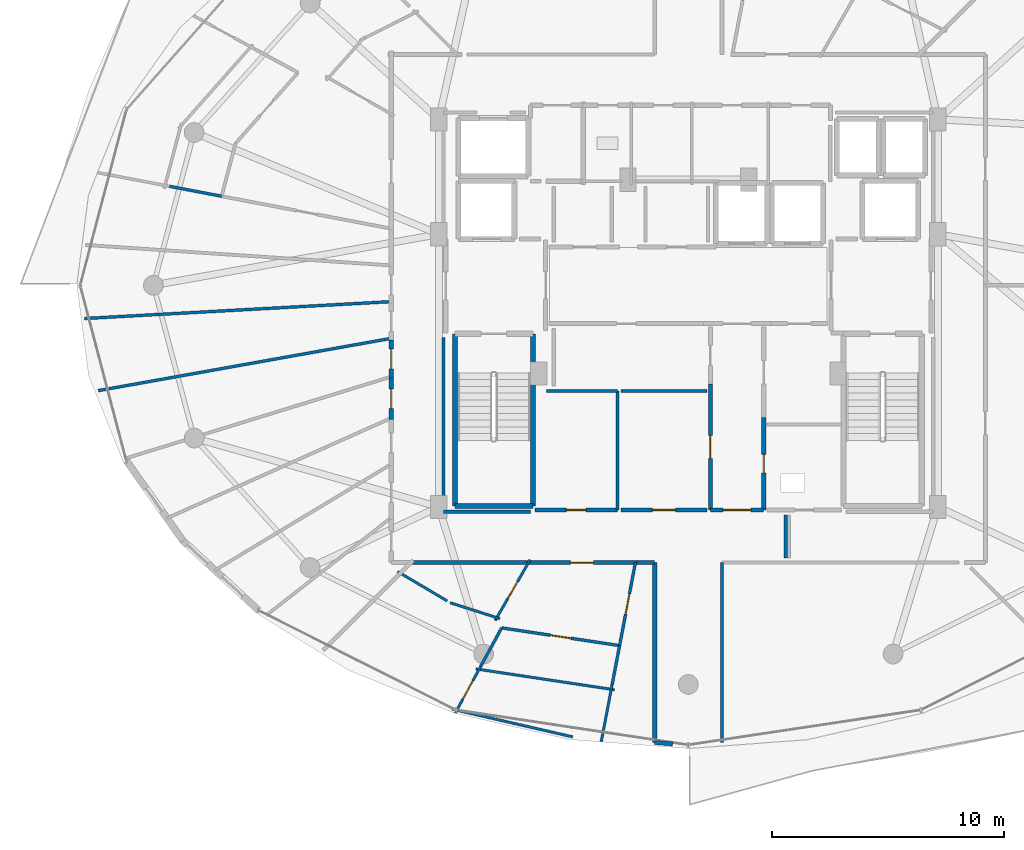
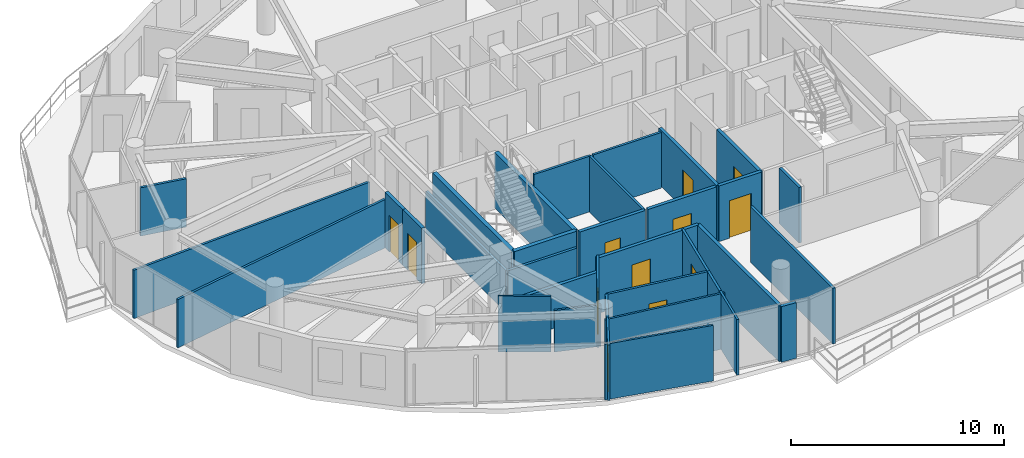
# One storey, part 17 of 25: 36 walls, 12 doors, 12 openings.
"""IFC4 building model written with IfcOpenShell, lengths in metres."""

from ifc_helpers import new_model, si_unit, direction, frame, frame_2d, origin, place, context, subcontext, project, spatial, rectangle, extrude, material, layer, layer_set, type_object, element, fill, save


model = new_model("IFC4")

# Units and contexts
model_context = context("Model", 3, precision=1e-05, world=origin(), true_north=direction((0.0, 1.0)))
body_context = subcontext(model_context, "Body", "Model", "MODEL_VIEW")
ifc_project = project(units=[si_unit("LENGTHUNIT", "METRE"), si_unit("AREAUNIT", "SQUARE_METRE"), si_unit("VOLUMEUNIT", "CUBIC_METRE"), si_unit("PLANEANGLEUNIT", "RADIAN"), si_unit("MASSUNIT", "GRAM", prefix="KILO")], contexts=[model_context])

# Site, building, storey
site_placement = place(None, origin())
site = spatial("IfcSite", under=ifc_project, at=site_placement, CompositionType="ELEMENT")
building_placement = place(site_placement, origin())
building = spatial("IfcBuilding", under=site, at=building_placement, Name="Vorneva Point Tower", CompositionType="ELEMENT")
storey_placement = place(building_placement, frame((0.0, 0.0, 276.85009765625)))
storey = spatial("IfcBuildingStorey", under=building, at=storey_placement, Name="L75", CompositionType="ELEMENT", Elevation=276.85009765625)

# Wall, opening, door
ifc_material_1 = material(Name="Fire-rated acoustic gypsum stud partition", Category="gypsum")
ifc_layer_1 = layer(ifc_material_1, 0.110107421875)
ifc_layer_set_1 = layer_set([ifc_layer_1], Name="Fire-rated acoustic gypsum stud partition")
wall_type_1 = type_object("IfcWallType", Name="WL-PART-110", PredefinedType="PARTITIONING", material=ifc_layer_set_1)
wall_1_placement = place(storey_placement, frame((31.183837890625, 14.17138671875, 0.0), z_axis=(0.0, 0.0, 1.0), x_axis=(-0.499203880251, -0.86648455609, 0.0)))
wall_1 = element("IfcWall", 1, at=wall_1_placement, inside=storey, type_object=wall_type_1, Name="L75 Interior Partition 097", PredefinedType="PARTITIONING", context=body_context, shape_type="SweptSolid", body=[
    extrude(rectangle(XDim=3.0166015625, YDim=0.110107421875, at=frame_2d((1.50830078125, 0.0))), origin(), (0.0, 0.0, 1.0), 3.18994140625),
])
opening_1_placement = place(wall_1_placement, frame((1.083251953125, 0.0, 0.0)))
opening_1 = element("IfcOpeningElement", 2, at=opening_1_placement, cuts=wall_1, Name="Opening ID-02", PredefinedType="OPENING", context=body_context, shape_type="SweptSolid", body=[
    extrude(rectangle(XDim=0.85009765625, YDim=2.10009765625, at=frame_2d((0.425048828125, 1.050048828125))), frame((0.0, 0.06982421875, 0.0), z_axis=(0.0, -1.0, 0.0), x_axis=(1.0, 0.0, 0.0)), (0.0, 0.0, 1.0), 0.139892578125),
])
ifc_material_2 = material(Name="Engineered oak fire-rated door leaf", Category="wood")
door_type_1 = type_object("IfcDoorType", Name="DR-BATH-850", OperationType="NOTDEFINED", PredefinedType="DOOR", material=ifc_material_2)
door_1_placement = place(opening_1_placement, origin())
door_1 = element("IfcDoor", 3, at=door_1_placement, inside=storey, type_object=door_type_1, Name="L75 Door Living and Dining Room L75-03 / Bathroom L75-03", OperationType="SINGLE_SWING_RIGHT", OverallHeight=2.10009765625, OverallWidth=0.85009765625, PredefinedType="DOOR", context=body_context, shape_type="SweptSolid", body=[
    extrude(rectangle(XDim=0.85009765625, YDim=2.10009765625, at=frame_2d((0.425048828125, 1.050048828125))), frame((0.0, 0.02490234375, 0.0), z_axis=(0.0, -1.0, 0.0), x_axis=(1.0, 0.0, 0.0)), (0.0, 0.0, 1.0), 0.050048828125),
])
fill(opening_1, door_1)

# Walls
wall_2_placement = place(storey_placement, frame((29.88134765625, 11.636474609375, 0.0), z_axis=(0.0, 0.0, 1.0), x_axis=(-0.952713330874, 0.30387054674, 0.0)))
element("IfcWall", 4, at=wall_2_placement, inside=storey, type_object=wall_type_1, Name="L75 Interior Partition 098", PredefinedType="PARTITIONING", context=body_context, shape_type="SweptSolid", body=[
    extrude(rectangle(XDim=2.251220703125, YDim=0.110107421875, at=frame_2d((1.12548828125, 0.0))), origin(), (0.0, 0.0, 1.0), 2.3818359375),
])
wall_3_placement = place(storey_placement, frame((27.610595703125, 12.398681640625, 0.0), z_axis=(0.0, 0.0, 1.0), x_axis=(-0.860546797705, 0.509371386082, 0.0)))
element("IfcWall", 5, at=wall_3_placement, inside=storey, type_object=wall_type_1, Name="L75 Interior Partition 099", PredefinedType="PARTITIONING", context=body_context, shape_type="SweptSolid", body=[
    extrude(rectangle(XDim=2.484619140625, YDim=0.110107421875, at=frame_2d((1.2421875, 0.0))), origin(), (0.0, 0.0, 1.0), 3.18994140625),
])
wall_4_placement = place(storey_placement, frame((34.71630859375, 8.78857421875, 0.0), z_axis=(0.0, 0.0, 1.0), x_axis=(-0.187233159216, -0.982315501298, 0.0)))
element("IfcWall", 6, at=wall_4_placement, inside=storey, type_object=wall_type_1, Name="L75 Interior Partition 100", PredefinedType="PARTITIONING", context=body_context, shape_type="SweptSolid", body=[
    extrude(rectangle(XDim=2.502197265625, YDim=0.110107421875, at=frame_2d((1.2509765625, 0.0))), origin(), (0.0, 0.0, 1.0), 3.18994140625),
])
wall_5_placement = place(storey_placement, frame((27.82861328125, 7.7333984375, 0.0), z_axis=(0.0, 0.0, 1.0), x_axis=(0.974586324437, -0.224012268015, 0.0)))
element("IfcWall", 7, at=wall_5_placement, inside=storey, type_object=wall_type_1, Name="L75 Interior Partition 101", PredefinedType="PARTITIONING", context=body_context, shape_type="SweptSolid", body=[
    extrude(rectangle(XDim=5.324951171875, YDim=0.110107421875, at=frame_2d((2.66259765625, 0.0))), origin(), (0.0, 0.0, 1.0), 3.18994140625),
])

# Wall, opening, door
wall_6_placement = place(storey_placement, frame((27.9560546875, 7.566162109375, 0.0), z_axis=(0.0, 0.0, 1.0), x_axis=(0.478485169604, 0.878095634011, 0.0)))
wall_6 = element("IfcWall", 8, at=wall_6_placement, inside=storey, type_object=wall_type_1, Name="L75 Interior Partition 102", PredefinedType="PARTITIONING", context=body_context, shape_type="SweptSolid", body=[
    extrude(rectangle(XDim=2.284423828125, YDim=0.110107421875, at=frame_2d((1.14208984375, 0.0))), origin(), (0.0, 0.0, 1.0), 3.18994140625),
])
opening_2_placement = place(wall_6_placement, frame((0.692138671875, 0.0, 0.0)))
opening_2 = element("IfcOpeningElement", 9, at=opening_2_placement, cuts=wall_6, Name="Opening ID-01", PredefinedType="OPENING", context=body_context, shape_type="SweptSolid", body=[
    extrude(rectangle(XDim=0.89990234375, YDim=2.10009765625, at=frame_2d((0.449951171875, 1.050048828125))), frame((0.0, 0.06982421875, 0.0), z_axis=(0.0, -1.0, 0.0), x_axis=(1.0, 0.0, 0.0)), (0.0, 0.0, 1.0), 0.139892578125),
])
door_type_2 = type_object("IfcDoorType", Name="DR-ROOM-900", OperationType="NOTDEFINED", PredefinedType="DOOR", material=ifc_material_2)
door_2_placement = place(opening_2_placement, origin())
door_2 = element("IfcDoor", 10, at=door_2_placement, inside=storey, type_object=door_type_2, Name="L75 Door Living and Dining Room L75-03 / Kitchen L75-03", OperationType="SINGLE_SWING_LEFT", OverallHeight=2.10009765625, OverallWidth=0.89990234375, PredefinedType="DOOR", context=body_context, shape_type="SweptSolid", body=[
    extrude(rectangle(XDim=0.89990234375, YDim=2.10009765625, at=frame_2d((0.449951171875, 1.050048828125))), frame((0.0, 0.02490234375, 0.0), z_axis=(0.0, -1.0, 0.0), x_axis=(1.0, 0.0, 0.0)), (0.0, 0.0, 1.0), 0.050048828125),
])
fill(opening_2, door_2)

# Walls
wall_7_placement = place(storey_placement, frame((34.8173828125, 8.5712890625, 0.0), z_axis=(0.0, 0.0, 1.0), x_axis=(-0.988879067965, 0.148721850918, 0.0)))
element("IfcWall", 11, at=wall_7_placement, inside=storey, type_object=wall_type_1, Name="L75 Interior Partition 107", PredefinedType="PARTITIONING", context=body_context, shape_type="SweptSolid", body=[
    extrude(rectangle(XDim=6.041015625, YDim=0.110107421875, at=frame_2d((3.0205078125, 0.0))), origin(), (0.0, 0.0, 1.0), 3.18994140625),
])
ifc_layer_2 = layer(ifc_material_1, 0.125)
ifc_layer_set_2 = layer_set([ifc_layer_2], Name="Fire-rated acoustic gypsum stud partition")
wall_type_2 = type_object("IfcWallType", Name="WL-PART-125", PredefinedType="PARTITIONING", material=ifc_layer_set_2)
wall_8_placement = place(storey_placement, frame((34.949951171875, 16.320068359375, 0.0), z_axis=(0.0, 0.0, 1.0), x_axis=(0.0, 1.0, 0.0)))
element("IfcWall", 12, at=wall_8_placement, inside=storey, type_object=wall_type_2, Name="L75 Interior Partition 033", PredefinedType="PARTITIONING", context=body_context, shape_type="SweptSolid", body=[
    extrude(rectangle(XDim=5.1298828125, YDim=0.125, at=frame_2d((2.56494140625, 0.0))), origin(), (0.0, 0.0, 1.0), 3.18994140625),
])
wall_9_placement = place(storey_placement, frame((34.949951171875, 21.449951171875, 0.0), z_axis=(0.0, 0.0, 1.0), x_axis=(-1.0, 0.0, 0.0)))
element("IfcWall", 13, at=wall_9_placement, inside=storey, type_object=wall_type_2, Name="L75 Interior Partition 034", PredefinedType="PARTITIONING", context=body_context, shape_type="SweptSolid", body=[
    extrude(rectangle(XDim=3.054931640625, YDim=0.125, at=frame_2d((1.52734375, 0.0))), origin(), (0.0, 0.0, 1.0), 3.18994140625),
])
wall_10_placement = place(storey_placement, frame((38.800048828125, 21.449951171875, 0.0), z_axis=(0.0, 0.0, 1.0), x_axis=(-1.0, 0.0, 0.0)))
element("IfcWall", 14, at=wall_10_placement, inside=storey, type_object=wall_type_2, Name="L75 Interior Partition 036", PredefinedType="PARTITIONING", context=body_context, shape_type="SweptSolid", body=[
    extrude(rectangle(XDim=3.699951171875, YDim=0.125, at=frame_2d((1.85009765625, 0.0))), origin(), (0.0, 0.0, 1.0), 3.18994140625),
])
wall_11_placement = place(storey_placement, frame((17.888916015625, 29.8369140625, 0.0), z_axis=(0.0, 0.0, 1.0), x_axis=(-0.982294524987, 0.187343177568, 0.0)))
element("IfcWall", 15, at=wall_11_placement, inside=storey, type_object=wall_type_2, Name="L75 Interior Partition 083", PredefinedType="PARTITIONING", context=body_context, shape_type="SweptSolid", body=[
    extrude(rectangle(XDim=2.28173828125, YDim=0.125, at=frame_2d((1.140869140625, 0.0))), origin(), (0.0, 0.0, 1.0), 2.77392578125),
])
wall_12_placement = place(storey_placement, frame((11.987060546875, 24.568115234375, 0.0), z_axis=(0.0, 0.0, 1.0), x_axis=(0.998486468265, 0.054997933516, 0.0)))
element("IfcWall", 16, at=wall_12_placement, inside=storey, type_object=wall_type_2, Name="L75 Interior Partition 089", PredefinedType="PARTITIONING", context=body_context, shape_type="SweptSolid", body=[
    extrude(rectangle(XDim=13.23291015625, YDim=0.125, at=frame_2d((6.616455078125, 0.0))), origin(), (0.0, 0.0, 1.0), 2.77392578125),
])
wall_13_placement = place(storey_placement, frame((12.576904296875, 21.4599609375, 0.0), z_axis=(0.0, 0.0, 1.0), x_axis=(0.984427104809, 0.175793274383, 0.0)))
element("IfcWall", 17, at=wall_13_placement, inside=storey, type_object=wall_type_2, Name="L75 Interior Partition 090", PredefinedType="PARTITIONING", context=body_context, shape_type="SweptSolid", body=[
    extrude(rectangle(XDim=12.82275390625, YDim=0.125, at=frame_2d((6.411376953125, 0.0))), origin(), (0.0, 0.0, 1.0), 2.77392578125),
])

# Wall, opening, door
wall_14_placement = place(storey_placement, frame((29.95703125, 11.238037109375, 0.0), z_axis=(0.0, 0.0, 1.0), x_axis=(0.988886109078, -0.148675025721, 0.0)))
wall_14 = element("IfcWall", 18, at=wall_14_placement, inside=storey, type_object=wall_type_2, Name="L75 Interior Partition 103", PredefinedType="PARTITIONING", context=body_context, shape_type="SweptSolid", body=[
    extrude(rectangle(XDim=5.13818359375, YDim=0.125, at=frame_2d((2.569091796875, 0.0))), origin(), (0.0, 0.0, 1.0), 3.18994140625),
])
opening_3_placement = place(wall_14_placement, frame((2.119140625, 0.0, 0.0)))
opening_3 = element("IfcOpeningElement", 19, at=opening_3_placement, cuts=wall_14, Name="Opening ID-01", PredefinedType="OPENING", context=body_context, shape_type="SweptSolid", body=[
    extrude(rectangle(XDim=0.89990234375, YDim=2.10009765625, at=frame_2d((0.449951171875, 1.050048828125))), frame((0.0, 0.077392578125, 0.0), z_axis=(0.0, -1.0, 0.0), x_axis=(1.0, 0.0, 0.0)), (0.0, 0.0, 1.0), 0.15478515625),
])
door_3_placement = place(opening_3_placement, origin())
door_3 = element("IfcDoor", 20, at=door_3_placement, inside=storey, type_object=door_type_2, Name="L75 Door Living and Dining Room L75-03 / Study Room L75-03", OperationType="SINGLE_SWING_RIGHT", OverallHeight=2.10009765625, OverallWidth=0.89990234375, PredefinedType="DOOR", context=body_context, shape_type="SweptSolid", body=[
    extrude(rectangle(XDim=0.89990234375, YDim=2.10009765625, at=frame_2d((0.449951171875, 1.050048828125))), frame((0.0, 0.02490234375, 0.0), z_axis=(0.0, -1.0, 0.0), x_axis=(1.0, 0.0, 0.0)), (0.0, 0.0, 1.0), 0.050048828125),
])
fill(opening_3, door_3)

# Walls
wall_15_placement = place(storey_placement, frame((35.0380859375, 10.47412109375, 0.0), z_axis=(0.0, 0.0, 1.0), x_axis=(-0.187353972187, -0.982292466176, 0.0)))
element("IfcWall", 21, at=wall_15_placement, inside=storey, type_object=wall_type_2, Name="L75 Interior Partition 104", PredefinedType="PARTITIONING", context=body_context, shape_type="SweptSolid", body=[
    extrude(rectangle(XDim=1.716064453125, YDim=0.125, at=frame_2d((0.85791015625, 0.0))), origin(), (0.0, 0.0, 1.0), 3.18994140625),
])
wall_16_placement = place(storey_placement, frame((29.049072265625, 9.572021484375, 0.0), z_axis=(0.0, 0.0, 1.0), x_axis=(0.478536562944, 0.878067627194, 0.0)))
element("IfcWall", 22, at=wall_16_placement, inside=storey, type_object=wall_type_2, Name="L75 Interior Partition 105", PredefinedType="PARTITIONING", context=body_context, shape_type="SweptSolid", body=[
    extrude(rectangle(XDim=1.8974609375, YDim=0.125, at=frame_2d((0.94873046875, 0.0))), origin(), (0.0, 0.0, 1.0), 3.18994140625),
])

# Wall, opening, door
wall_17_placement = place(storey_placement, frame((35.0380859375, 10.47412109375, 0.0), z_axis=(0.0, 0.0, 1.0), x_axis=(0.187312418361, 0.982300390882, 0.0)))
wall_17 = element("IfcWall", 23, at=wall_17_placement, inside=storey, type_object=wall_type_2, Name="L75 Interior Partition 106", PredefinedType="PARTITIONING", context=body_context, shape_type="SweptSolid", body=[
    extrude(rectangle(XDim=3.640380859375, YDim=0.125, at=frame_2d((1.8203125, 0.0))), origin(), (0.0, 0.0, 1.0), 3.18994140625),
])
opening_4_placement = place(wall_17_placement, frame((1.3701171875, 0.0, 0.0)))
opening_4 = element("IfcOpeningElement", 24, at=opening_4_placement, cuts=wall_17, Name="Opening ID-01", PredefinedType="OPENING", context=body_context, shape_type="SweptSolid", body=[
    extrude(rectangle(XDim=0.89990234375, YDim=2.10009765625, at=frame_2d((0.449951171875, 1.050048828125))), frame((0.0, 0.077392578125, 0.0), z_axis=(0.0, -1.0, 0.0), x_axis=(1.0, 0.0, 0.0)), (0.0, 0.0, 1.0), 0.15478515625),
])
door_4_placement = place(opening_4_placement, origin())
door_4 = element("IfcDoor", 25, at=door_4_placement, inside=storey, type_object=door_type_2, Name="L75 Door Living and Dining Room L75-03 / Master Bedroom L75-03.1", OperationType="SINGLE_SWING_LEFT", OverallHeight=2.10009765625, OverallWidth=0.89990234375, PredefinedType="DOOR", context=body_context, shape_type="SweptSolid", body=[
    extrude(rectangle(XDim=0.89990234375, YDim=2.10009765625, at=frame_2d((0.449951171875, 1.050048828125))), frame((0.0, 0.02490234375, 0.0), z_axis=(0.0, -1.0, 0.0), x_axis=(1.0, 0.0, 0.0)), (0.0, 0.0, 1.0), 0.050048828125),
])
fill(opening_4, door_4)

# Walls
ifc_layer_3 = layer(ifc_material_1, 0.139892578125)
ifc_layer_set_3 = layer_set([ifc_layer_3], Name="Fire-rated acoustic gypsum stud partition")
wall_type_3 = type_object("IfcWallType", Name="WL-PART-140", PredefinedType="PARTITIONING", material=ifc_layer_set_3)
wall_18_placement = place(storey_placement, frame((39.449951171875, 6.299072265625, 0.0), z_axis=(0.0, 0.0, 1.0), x_axis=(0.0, 1.0, 0.0)))
element("IfcWall", 26, at=wall_18_placement, inside=storey, type_object=wall_type_3, Name="L75 Interior Closure Partition 120", PredefinedType="PARTITIONING", context=body_context, shape_type="SweptSolid", body=[
    extrude(rectangle(XDim=7.7509765625, YDim=0.139892578125, at=frame_2d((3.87548828125, 0.0))), origin(), (0.0, 0.0, 1.0), 3.18994140625),
])
wall_19_placement = place(storey_placement, frame((27.449951171875, 23.75390625, 0.0), z_axis=(0.0, 0.0, 1.0), x_axis=(0.0, -1.0, 0.0)))
element("IfcWall", 27, at=wall_19_placement, inside=storey, type_object=wall_type_3, Name="L75 Interior Closure Partition 129", PredefinedType="PARTITIONING", context=body_context, shape_type="SweptSolid", body=[
    extrude(rectangle(XDim=7.513916015625, YDim=0.139892578125, at=frame_2d((3.7568359375, 0.0))), origin(), (0.0, 0.0, 1.0), 2.3818359375),
])
wall_20_placement = place(storey_placement, frame((27.449951171875, 16.239990234375, 0.0), z_axis=(0.0, 0.0, 1.0), x_axis=(1.0, 0.0, 0.0)))
element("IfcWall", 28, at=wall_20_placement, inside=storey, type_object=wall_type_3, Name="L75 Interior Closure Partition 130", PredefinedType="PARTITIONING", context=body_context, shape_type="SweptSolid", body=[
    extrude(rectangle(XDim=3.7451171875, YDim=0.139892578125, at=frame_2d((1.87255859375, 0.0))), origin(), (0.0, 0.0, 1.0), 2.3818359375),
])
wall_21_placement = place(storey_placement, frame((42.199951171875, 16.10009765625, 0.0), z_axis=(0.0, 0.0, 1.0), x_axis=(0.0, -1.0, 0.0)))
element("IfcWall", 29, at=wall_21_placement, inside=storey, type_object=wall_type_3, Name="L75 Interior Closure Partition 131", PredefinedType="PARTITIONING", context=body_context, shape_type="SweptSolid", body=[
    extrude(rectangle(XDim=1.85009765625, YDim=0.139892578125, at=frame_2d((0.925048828125, 0.0))), origin(), (0.0, 0.0, 1.0), 3.18994140625),
])

# Wall, opening, door
ifc_material_3 = material(Name="Autoclaved aerated concrete blockwork", Category="masonry")
ifc_layer_4 = layer(ifc_material_3, 0.179931640625)
ifc_layer_set_4 = layer_set([ifc_layer_4], Name="Autoclaved aerated concrete blockwork")
wall_type_4 = type_object("IfcWallType", Name="WL-PART-180", PredefinedType="PARTITIONING", material=ifc_layer_set_4)
wall_22_placement = place(storey_placement, frame((41.25, 16.320068359375, 0.0), z_axis=(0.0, 0.0, 1.0), x_axis=(0.0, 1.0, 0.0)))
wall_22 = element("IfcWall", 30, at=wall_22_placement, inside=storey, type_object=wall_type_4, Name="L75 Interior Partition 015", PredefinedType="PARTITIONING", context=body_context, shape_type="SweptSolid", body=[
    extrude(rectangle(XDim=3.98486328125, YDim=0.179931640625, at=frame_2d((1.992431640625, 0.0))), origin(), (0.0, 0.0, 1.0), 3.18994140625),
])
opening_5_placement = place(wall_22_placement, frame((1.592529296875, 0.0, 0.0)))
opening_5 = element("IfcOpeningElement", 31, at=opening_5_placement, cuts=wall_22, Name="Opening RD-01", PredefinedType="OPENING", context=body_context, shape_type="SweptSolid", body=[
    extrude(rectangle(XDim=0.800048828125, YDim=2.050048828125, at=frame_2d((0.39990234375, 1.02490234375))), frame((0.0, 0.10498046875, 0.0), z_axis=(0.0, -1.0, 0.0), x_axis=(1.0, 0.0, 0.0)), (0.0, 0.0, 1.0), 0.209716796875),
])
ifc_material_4 = material(Name="Fire-rated powder-coated steel", Category="steel")
door_type_3 = type_object("IfcDoorType", Name="DR-RSR-800", OperationType="SINGLE_SWING_LEFT", PredefinedType="DOOR", material=ifc_material_4)
door_5_placement = place(opening_5_placement, origin())
door_5 = element("IfcDoor", 32, at=door_5_placement, inside=storey, type_object=door_type_3, Name="L75 Door Core Service Lobby / Electrical Riser", OperationType="SINGLE_SWING_RIGHT", OverallHeight=2.050048828125, OverallWidth=0.800048828125, PredefinedType="DOOR", context=body_context, shape_type="SweptSolid", body=[
    extrude(rectangle(XDim=0.800048828125, YDim=2.050048828125, at=frame_2d((0.39990234375, 1.02490234375))), frame((0.0, 0.02490234375, 0.0), z_axis=(0.0, -1.0, 0.0), x_axis=(1.0, 0.0, 0.0)), (0.0, 0.0, 1.0), 0.050048828125),
])
fill(opening_5, door_5)

wall_23_placement = place(storey_placement, frame((38.949951171875, 21.7548828125, 0.0), z_axis=(0.0, 0.0, 1.0), x_axis=(0.0, -1.0, 0.0)))
wall_23 = element("IfcWall", 33, at=wall_23_placement, inside=storey, type_object=wall_type_4, Name="L75 Interior Partition 017", PredefinedType="PARTITIONING", context=body_context, shape_type="SweptSolid", body=[
    extrude(rectangle(XDim=5.434814453125, YDim=0.179931640625, at=frame_2d((2.71728515625, 0.0))), origin(), (0.0, 0.0, 1.0), 3.18994140625),
])
opening_6_placement = place(wall_23_placement, frame((2.217529296875, 0.0, 0.0)))
opening_6 = element("IfcOpeningElement", 34, at=opening_6_placement, cuts=wall_23, Name="Opening UD-01", PredefinedType="OPENING", context=body_context, shape_type="SweptSolid", body=[
    extrude(rectangle(XDim=1.0, YDim=2.14990234375, at=frame_2d((0.5, 1.074951171875))), frame((0.0, 0.10498046875, 0.0), z_axis=(0.0, -1.0, 0.0), x_axis=(1.0, 0.0, 0.0)), (0.0, 0.0, 1.0), 0.209716796875),
])
door_type_4 = type_object("IfcDoorType", Name="DR-UNIT-1000", OperationType="NOTDEFINED", PredefinedType="DOOR", material=ifc_material_2)
door_6_placement = place(opening_6_placement, origin())
door_6 = element("IfcDoor", 35, at=door_6_placement, inside=storey, type_object=door_type_4, Name="L75 Door Core Service Lobby / Staff Service Pantry", OperationType="SINGLE_SWING_RIGHT", OverallHeight=2.14990234375, OverallWidth=1.0, PredefinedType="DOOR", context=body_context, shape_type="SweptSolid", body=[
    extrude(rectangle(XDim=1.0, YDim=2.14990234375, at=frame_2d((0.5, 1.074951171875))), frame((0.0, 0.02490234375, 0.0), z_axis=(0.0, -1.0, 0.0), x_axis=(1.0, 0.0, 0.0)), (0.0, 0.0, 1.0), 0.050048828125),
])
fill(opening_6, door_6)

wall_24_placement = place(storey_placement, frame((38.949951171875, 16.320068359375, 0.0), z_axis=(0.0, 0.0, 1.0), x_axis=(1.0, 0.0, 0.0)))
wall_24 = element("IfcWall", 36, at=wall_24_placement, inside=storey, type_object=wall_type_4, Name="L75 Interior Partition 019", PredefinedType="PARTITIONING", context=body_context, shape_type="SweptSolid", body=[
    extrude(rectangle(XDim=2.300048828125, YDim=0.179931640625, at=frame_2d((1.14990234375, 0.0))), origin(), (0.0, 0.0, 1.0), 3.18994140625),
])
opening_7_placement = place(wall_24_placement, frame((0.550048828125, 0.0, 0.0)))
opening_7 = element("IfcOpeningElement", 37, at=opening_7_placement, cuts=wall_24, Name="Opening FD-02", PredefinedType="OPENING", context=body_context, shape_type="SweptSolid", body=[
    extrude(rectangle(XDim=1.199951171875, YDim=2.14990234375, at=frame_2d((0.60009765625, 1.074951171875))), frame((0.0, 0.10498046875, 0.0), z_axis=(0.0, -1.0, 0.0), x_axis=(1.0, 0.0, 0.0)), (0.0, 0.0, 1.0), 0.209716796875),
])
door_type_5 = type_object("IfcDoorType", Name="DR-FFL-1200", OperationType="NOTDEFINED", PredefinedType="DOOR", material=ifc_material_4)
door_7_placement = place(opening_7_placement, origin())
door_7 = element("IfcDoor", 38, at=door_7_placement, inside=storey, type_object=door_type_5, Name="L75 Door Core Service Lobby / L75 Circulation Corridor", OperationType="SINGLE_SWING_RIGHT", OverallHeight=2.14990234375, OverallWidth=1.199951171875, PredefinedType="DOOR", context=body_context, shape_type="SweptSolid", body=[
    extrude(rectangle(XDim=1.199951171875, YDim=2.14990234375, at=frame_2d((0.60009765625, 1.074951171875))), frame((0.0, 0.02490234375, 0.0), z_axis=(0.0, -1.0, 0.0), x_axis=(1.0, 0.0, 0.0)), (0.0, 0.0, 1.0), 0.050048828125),
])
fill(opening_7, door_7)

wall_25_placement = place(storey_placement, frame((31.39990234375, 16.320068359375, 0.0), z_axis=(0.0, 0.0, 1.0), x_axis=(1.0, 0.0, 0.0)))
wall_25 = element("IfcWall", 39, at=wall_25_placement, inside=storey, type_object=wall_type_4, Name="L75 Interior Partition 035", PredefinedType="PARTITIONING", context=body_context, shape_type="SweptSolid", body=[
    extrude(rectangle(XDim=3.550048828125, YDim=0.179931640625, at=frame_2d((1.77490234375, 0.0))), origin(), (0.0, 0.0, 1.0), 3.18994140625),
])
opening_8_placement = place(wall_25_placement, frame((1.35009765625, 0.0, 0.0)))
opening_8 = element("IfcOpeningElement", 40, at=opening_8_placement, cuts=wall_25, Name="Opening ID-02", PredefinedType="OPENING", context=body_context, shape_type="SweptSolid", body=[
    extrude(rectangle(XDim=0.85009765625, YDim=2.10009765625, at=frame_2d((0.425048828125, 1.050048828125))), frame((0.0, 0.10498046875, 0.0), z_axis=(0.0, -1.0, 0.0), x_axis=(1.0, 0.0, 0.0)), (0.0, 0.0, 1.0), 0.209716796875),
])
door_8_placement = place(opening_8_placement, origin())
door_8 = element("IfcDoor", 41, at=door_8_placement, inside=storey, type_object=door_type_1, Name="L75 Door Luggage Store / L75 Circulation Corridor", OperationType="SINGLE_SWING_RIGHT", OverallHeight=2.10009765625, OverallWidth=0.85009765625, PredefinedType="DOOR", context=body_context, shape_type="SweptSolid", body=[
    extrude(rectangle(XDim=0.85009765625, YDim=2.10009765625, at=frame_2d((0.425048828125, 1.050048828125))), frame((0.0, 0.02490234375, 0.0), z_axis=(0.0, -1.0, 0.0), x_axis=(1.0, 0.0, 0.0)), (0.0, 0.0, 1.0), 0.050048828125),
])
fill(opening_8, door_8)

wall_26_placement = place(storey_placement, frame((35.10009765625, 16.320068359375, 0.0), z_axis=(0.0, 0.0, 1.0), x_axis=(1.0, 0.0, 0.0)))
wall_26 = element("IfcWall", 42, at=wall_26_placement, inside=storey, type_object=wall_type_4, Name="L75 Interior Partition 037", PredefinedType="PARTITIONING", context=body_context, shape_type="SweptSolid", body=[
    extrude(rectangle(XDim=3.699951171875, YDim=0.179931640625, at=frame_2d((1.85009765625, 0.0))), origin(), (0.0, 0.0, 1.0), 3.18994140625),
])
opening_9_placement = place(wall_26_placement, frame((1.35009765625, 0.0, 0.0)))
opening_9 = element("IfcOpeningElement", 43, at=opening_9_placement, cuts=wall_26, Name="Opening UD-01", PredefinedType="OPENING", context=body_context, shape_type="SweptSolid", body=[
    extrude(rectangle(XDim=1.0, YDim=2.14990234375, at=frame_2d((0.5, 1.074951171875))), frame((0.0, 0.10498046875, 0.0), z_axis=(0.0, -1.0, 0.0), x_axis=(1.0, 0.0, 0.0)), (0.0, 0.0, 1.0), 0.209716796875),
])
door_9_placement = place(opening_9_placement, origin())
door_9 = element("IfcDoor", 44, at=door_9_placement, inside=storey, type_object=door_type_4, Name="L75 Door Staff Service Pantry / L75 Circulation Corridor", OperationType="SINGLE_SWING_LEFT", OverallHeight=2.14990234375, OverallWidth=1.0, PredefinedType="DOOR", context=body_context, shape_type="SweptSolid", body=[
    extrude(rectangle(XDim=1.0, YDim=2.14990234375, at=frame_2d((0.5, 1.074951171875))), frame((0.0, 0.02490234375, 0.0), z_axis=(0.0, -1.0, 0.0), x_axis=(1.0, 0.0, 0.0)), (0.0, 0.0, 1.0), 0.050048828125),
])
fill(opening_9, door_9)

wall_27_placement = place(storey_placement, frame((25.199951171875, 23.653076171875, 0.0), z_axis=(0.0, 0.0, 1.0), x_axis=(0.0, -1.0, 0.0)))
wall_27 = element("IfcWall", 45, at=wall_27_placement, inside=storey, type_object=wall_type_4, Name="L75 Interior Partition 048", PredefinedType="PARTITIONING", context=body_context, shape_type="SweptSolid", body=[
    extrude(rectangle(XDim=1.654052734375, YDim=0.179931640625, at=frame_2d((0.8271484375, 0.0))), origin(), (0.0, 0.0, 1.0), 3.18994140625),
])
opening_10_placement = place(wall_27_placement, frame((0.402099609375, 0.0, 0.0)))
opening_10 = element("IfcOpeningElement", 46, at=opening_10_placement, cuts=wall_27, Name="Opening ID-02", PredefinedType="OPENING", context=body_context, shape_type="SweptSolid", body=[
    extrude(rectangle(XDim=0.85009765625, YDim=2.10009765625, at=frame_2d((0.425048828125, 1.050048828125))), frame((0.0, 0.10498046875, 0.0), z_axis=(0.0, -1.0, 0.0), x_axis=(1.0, 0.0, 0.0)), (0.0, 0.0, 1.0), 0.209716796875),
])
door_10_placement = place(opening_10_placement, origin())
door_10 = element("IfcDoor", 47, at=door_10_placement, inside=storey, type_object=door_type_1, Name="L75 Access Door L75 Circulation Corridor", OperationType="SINGLE_SWING_RIGHT", OverallHeight=2.10009765625, OverallWidth=0.85009765625, PredefinedType="DOOR", context=body_context, shape_type="SweptSolid", body=[
    extrude(rectangle(XDim=0.85009765625, YDim=2.10009765625, at=frame_2d((0.425048828125, 1.050048828125))), frame((0.0, 0.02490234375, 0.0), z_axis=(0.0, -1.0, 0.0), x_axis=(1.0, 0.0, 0.0)), (0.0, 0.0, 1.0), 0.050048828125),
])
fill(opening_10, door_10)

wall_28_placement = place(storey_placement, frame((25.199951171875, 21.9990234375, 0.0), z_axis=(0.0, 0.0, 1.0), x_axis=(0.0, -1.0, 0.0)))
wall_28 = element("IfcWall", 48, at=wall_28_placement, inside=storey, type_object=wall_type_4, Name="L75 Interior Partition 049", PredefinedType="PARTITIONING", context=body_context, shape_type="SweptSolid", body=[
    extrude(rectangle(XDim=1.783935546875, YDim=0.179931640625, at=frame_2d((0.89208984375, 0.0))), origin(), (0.0, 0.0, 1.0), 3.18994140625),
])
opening_11_placement = place(wall_28_placement, frame((0.467041015625, 0.0, 0.0)))
opening_11 = element("IfcOpeningElement", 49, at=opening_11_placement, cuts=wall_28, Name="Opening ID-02", PredefinedType="OPENING", context=body_context, shape_type="SweptSolid", body=[
    extrude(rectangle(XDim=0.85009765625, YDim=2.10009765625, at=frame_2d((0.425048828125, 1.050048828125))), frame((0.0, 0.10498046875, 0.0), z_axis=(0.0, -1.0, 0.0), x_axis=(1.0, 0.0, 0.0)), (0.0, 0.0, 1.0), 0.209716796875),
])
door_11_placement = place(opening_11_placement, origin())
door_11 = element("IfcDoor", 50, at=door_11_placement, inside=storey, type_object=door_type_1, Name="L75 Access Door L75 Circulation Corridor", OperationType="SINGLE_SWING_LEFT", OverallHeight=2.10009765625, OverallWidth=0.85009765625, PredefinedType="DOOR", context=body_context, shape_type="SweptSolid", body=[
    extrude(rectangle(XDim=0.85009765625, YDim=2.10009765625, at=frame_2d((0.425048828125, 1.050048828125))), frame((0.0, 0.02490234375, 0.0), z_axis=(0.0, -1.0, 0.0), x_axis=(1.0, 0.0, 0.0)), (0.0, 0.0, 1.0), 0.050048828125),
])
fill(opening_11, door_11)

wall_29_placement = place(storey_placement, frame((31.044921875, 14.050048828125, 0.0), z_axis=(0.0, 0.0, 1.0), x_axis=(1.0, 0.0, 0.0)))
wall_29 = element("IfcWall", 51, at=wall_29_placement, inside=storey, type_object=wall_type_4, Name="L75 Interior Partition 054", PredefinedType="PARTITIONING", context=body_context, shape_type="SweptSolid", body=[
    extrude(rectangle(XDim=4.735107421875, YDim=0.179931640625, at=frame_2d((2.36767578125, 0.0))), origin(), (0.0, 0.0, 1.0), 3.18994140625),
])
opening_12_placement = place(wall_29_placement, frame((1.867431640625, 0.0, 0.0)))
opening_12 = element("IfcOpeningElement", 52, at=opening_12_placement, cuts=wall_29, Name="Opening UD-01", PredefinedType="OPENING", context=body_context, shape_type="SweptSolid", body=[
    extrude(rectangle(XDim=1.0, YDim=2.14990234375, at=frame_2d((0.5, 1.074951171875))), frame((0.0, 0.10498046875, 0.0), z_axis=(0.0, -1.0, 0.0), x_axis=(1.0, 0.0, 0.0)), (0.0, 0.0, 1.0), 0.209716796875),
])
door_12_placement = place(opening_12_placement, origin())
door_12 = element("IfcDoor", 53, at=door_12_placement, inside=storey, type_object=door_type_4, Name="L75 Door L75 Circulation Corridor / Living and Dining Room L75-03", OperationType="SINGLE_SWING_RIGHT", OverallHeight=2.14990234375, OverallWidth=1.0, PredefinedType="DOOR", context=body_context, shape_type="SweptSolid", body=[
    extrude(rectangle(XDim=1.0, YDim=2.14990234375, at=frame_2d((0.5, 1.074951171875))), frame((0.0, 0.02490234375, 0.0), z_axis=(0.0, -1.0, 0.0), x_axis=(1.0, 0.0, 0.0)), (0.0, 0.0, 1.0), 0.050048828125),
])
fill(opening_12, door_12)

# Walls
wall_30_placement = place(storey_placement, frame((25.969970703125, 14.050048828125, 0.0), z_axis=(0.0, 0.0, 1.0), x_axis=(1.0, 0.0, 0.0)))
element("IfcWall", 54, at=wall_30_placement, inside=storey, type_object=wall_type_4, Name="L75 Interior Partition 055", PredefinedType="PARTITIONING", context=body_context, shape_type="SweptSolid", body=[
    extrude(rectangle(XDim=5.215087890625, YDim=0.179931640625, at=frame_2d((2.607421875, 0.0))), origin(), (0.0, 0.0, 1.0), 2.3818359375),
])
wall_31_placement = place(storey_placement, frame((35.780029296875, 14.050048828125, 0.0), z_axis=(0.0, 0.0, 1.0), x_axis=(1.0, 0.0, 0.0)))
element("IfcWall", 55, at=wall_31_placement, inside=storey, type_object=wall_type_4, Name="L75 Interior Partition 056", PredefinedType="PARTITIONING", context=body_context, shape_type="SweptSolid", body=[
    extrude(rectangle(XDim=0.77001953125, YDim=0.179931640625, at=frame_2d((0.385009765625, 0.0))), origin(), (0.0, 0.0, 1.0), 3.18994140625),
])
wall_32_placement = place(storey_placement, frame((36.550048828125, 14.050048828125, 0.0), z_axis=(0.0, 0.0, 1.0), x_axis=(0.0, -1.0, 0.0)))
element("IfcWall", 56, at=wall_32_placement, inside=storey, type_object=wall_type_4, Name="L75 Interior Partition 057", PredefinedType="PARTITIONING", context=body_context, shape_type="SweptSolid", body=[
    extrude(rectangle(XDim=7.7509765625, YDim=0.179931640625, at=frame_2d((3.87548828125, 0.0))), origin(), (0.0, 0.0, 1.0), 3.18994140625),
])
wall_33_placement = place(storey_placement, frame((36.550048828125, 6.299072265625, 0.0), z_axis=(0.0, 0.0, 1.0), x_axis=(0.997136622012, -0.0756211415, 0.0)))
element("IfcWall", 57, at=wall_33_placement, inside=storey, type_object=wall_type_4, Name="L75 Interior Partition 058", PredefinedType="PARTITIONING", context=body_context, shape_type="SweptSolid", body=[
    extrude(rectangle(XDim=0.78125, YDim=0.179931640625, at=frame_2d((0.390625, 0.0))), origin(), (0.0, 0.0, 1.0), 3.18994140625),
])
ifc_material_5 = material(Name="Concrete B50 (C40/50)", Category="concrete")
ifc_layer_5 = layer(ifc_material_5, 0.219970703125)
ifc_layer_set_5 = layer_set([ifc_layer_5], Name="Concrete B50 (C40/50)")
wall_type_5 = type_object("IfcWallType", Name="WL-SHFT-220", PredefinedType="SOLIDWALL", material=ifc_layer_set_5)
wall_34_placement = place(storey_placement, frame((31.31005859375, 23.909912109375, 0.0), z_axis=(0.0, 0.0, 1.0), x_axis=(0.0, -1.0, 0.0)))
element("IfcWall", 58, at=wall_34_placement, inside=storey, type_object=wall_type_5, Name="L75 Exit Stair ST1 Shaft Wall right", PredefinedType="SOLIDWALL", context=body_context, shape_type="SweptSolid", body=[
    extrude(rectangle(XDim=7.419921875, YDim=0.219970703125, at=frame_2d((3.7099609375, 0.0))), origin(), (0.0, 0.0, 1.0), 3.18994140625),
])
wall_35_placement = place(storey_placement, frame((31.31005859375, 16.489990234375, 0.0), z_axis=(0.0, 0.0, 1.0), x_axis=(-1.0, 0.0, 0.0)))
element("IfcWall", 59, at=wall_35_placement, inside=storey, type_object=wall_type_5, Name="L75 Exit Stair ST1 Shaft Wall far", PredefinedType="SOLIDWALL", context=body_context, shape_type="SweptSolid", body=[
    extrude(rectangle(XDim=3.3701171875, YDim=0.219970703125, at=frame_2d((1.68505859375, 0.0))), origin(), (0.0, 0.0, 1.0), 3.18994140625),
])
wall_36_placement = place(storey_placement, frame((27.93994140625, 16.489990234375, 0.0), z_axis=(0.0, 0.0, 1.0), x_axis=(0.0, 1.0, 0.0)))
element("IfcWall", 60, at=wall_36_placement, inside=storey, type_object=wall_type_5, Name="L75 Exit Stair ST1 Shaft Wall left", PredefinedType="SOLIDWALL", context=body_context, shape_type="SweptSolid", body=[
    extrude(rectangle(XDim=7.419921875, YDim=0.219970703125, at=frame_2d((3.7099609375, 0.0))), origin(), (0.0, 0.0, 1.0), 3.18994140625),
])

save(model, "model.ifc")
